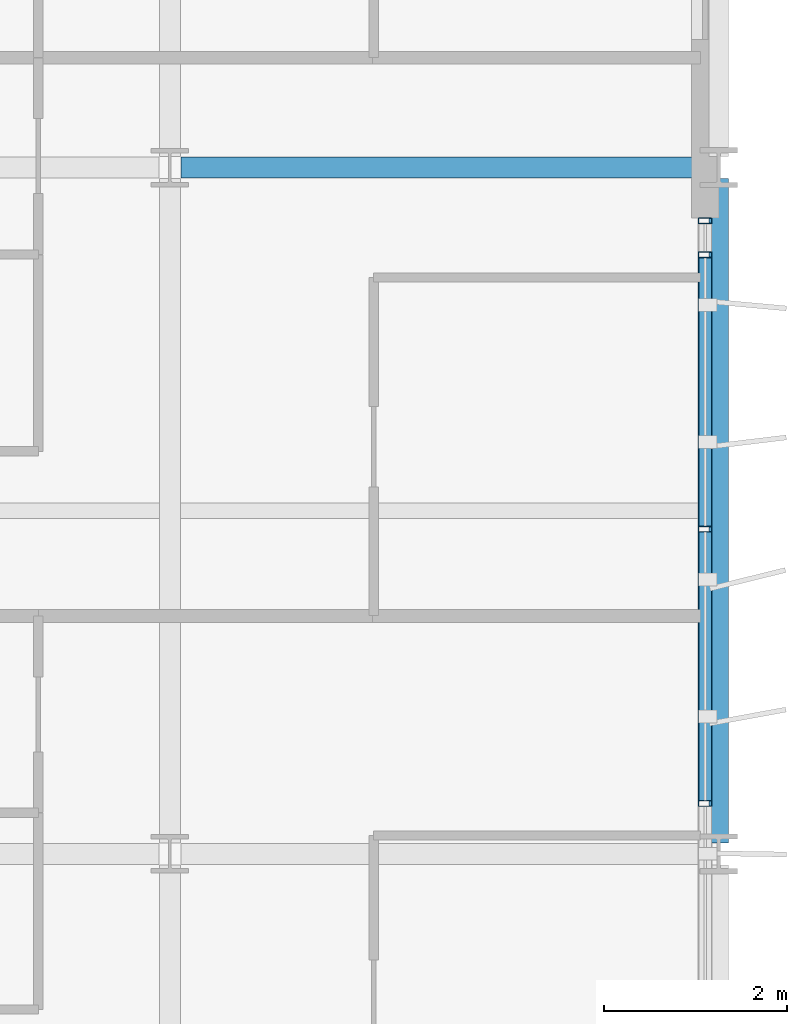
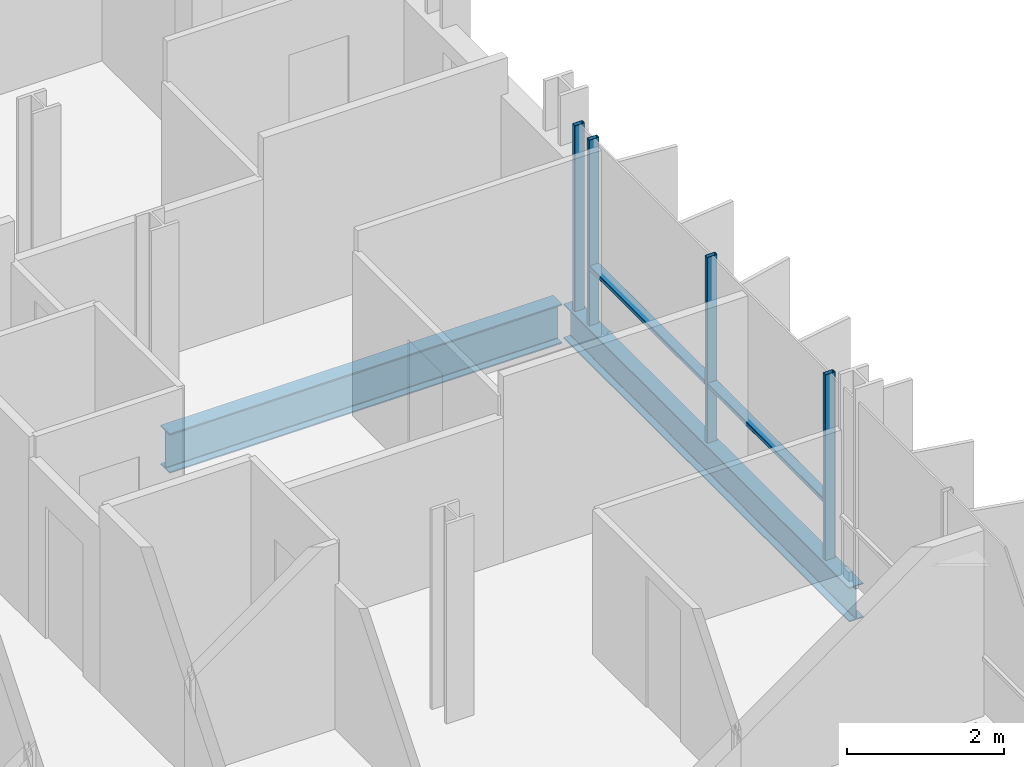
# One storey, part 19 of 38: 6 members, 2 beams, 1 element without a shape of its own.
"""IFC4 building model written with IfcOpenShell, lengths in metres."""

from ifc_helpers import new_model, si_unit, direction, frame, origin, origin_2d, place, context, subcontext, project, spatial, hollow_rectangle, i_section, extrude, material, layer, layer_set, material_profile, profile_set, type_object, element, aggregate, save


model = new_model("IFC4")

# Units and contexts
model_context = context("Model", 3, precision=1e-05, world=origin(), true_north=direction((0.0, 1.0)))
body_context = subcontext(model_context, "Body", "Model", "MODEL_VIEW")
ifc_project = project(units=[si_unit("LENGTHUNIT", "METRE"), si_unit("AREAUNIT", "SQUARE_METRE"), si_unit("VOLUMEUNIT", "CUBIC_METRE"), si_unit("PLANEANGLEUNIT", "RADIAN"), si_unit("MASSUNIT", "GRAM", prefix="KILO")], contexts=[model_context])

# Site, building, storey
site_placement = place(None, origin())
site = spatial("IfcSite", under=ifc_project, at=site_placement, CompositionType="ELEMENT")
building_placement = place(site_placement, origin())
building = spatial("IfcBuilding", under=site, at=building_placement, Name="Brevholm Reach", CompositionType="ELEMENT")
storey_placement = place(building_placement, frame((0.0, 0.0, 122.10009765625)))
storey = spatial("IfcBuildingStorey", under=building, at=storey_placement, Name="L36", CompositionType="ELEMENT", Elevation=122.10009765625)

# Beams
ifc_material_1 = material(Name="Structural Steel S355J2", Category="steel")
ifc_material_profile_1 = material_profile(ifc_material_1, i_section(OverallWidth=0.209228515625, OverallDepth=0.533203125, WebThickness=0.010009765625, FlangeThickness=0.015625, FilletRadius=0.0126953125, at=origin_2d()), Name="UKB 533x210x92")
ifc_profile_set_1 = profile_set([ifc_material_profile_1], Name="Structural Steel S355J2")
beam_type_1 = type_object("IfcBeamType", Name="BM-SP533", PredefinedType="SPANDREL", material=ifc_profile_set_1)
beam_1_placement = place(storey_placement, frame((60.0, 16.1201171875, -0.486572265625), z_axis=(0.0, 1.0, 0.0), x_axis=(-1.0, 0.0, 0.0)))
element("IfcBeam", 1, at=beam_1_placement, inside=storey, type_object=beam_type_1, Name="L36 SP-02 Framing Beam", PredefinedType="SPANDREL", context=body_context, shape_type="SweptSolid", body=[
    extrude(i_section(OverallWidth=0.209228515625, OverallDepth=0.533203125, WebThickness=0.010009765625, FlangeThickness=0.015625, FilletRadius=0.0126953125, at=origin_2d()), origin(), (0.0, 0.0, 1.0), 7.259765625),
])
ifc_material_2 = material(Name="Structural Steel S355J2", Category="steel")
ifc_material_profile_2 = material_profile(ifc_material_2, i_section(OverallWidth=0.22900390625, OverallDepth=0.6123046875, WebThickness=0.011962890625, FlangeThickness=0.01953125, FilletRadius=0.0126953125, at=origin_2d()), Name="UKB 610x229x125")
ifc_profile_set_2 = profile_set([ifc_material_profile_2], Name="Structural Steel S355J2")
beam_type_2 = type_object("IfcBeamType", Name="BM-SP610", PredefinedType="SPANDREL", material=ifc_profile_set_2)
beam_2_placement = place(storey_placement, frame((54.1201171875, 23.5, -0.526123046875), z_axis=(1.0, 0.0, 0.0), x_axis=(0.0, 1.0, 0.0)))
element("IfcBeam", 2, at=beam_2_placement, inside=storey, type_object=beam_type_2, Name="L36 SP-01 Framing Beam", PredefinedType="SPANDREL", context=body_context, shape_type="SweptSolid", body=[
    extrude(i_section(OverallWidth=0.22900390625, OverallDepth=0.6123046875, WebThickness=0.011962890625, FlangeThickness=0.01953125, FilletRadius=0.0126953125, at=origin_2d()), origin(), (0.0, 0.0, 1.0), 5.759765625),
])

# Curtain wall, members
ifc_material_3 = material(Name="Dark Anodised Aluminium 6063-T6 and Solar-Control Glass", Category="aluminium")
ifc_layer = layer(ifc_material_3, 0.14990234375)
ifc_layer_set = layer_set([ifc_layer], Name="Dark Anodised Aluminium 6063-T6 and Solar-Control Glass")
curtain_wall_type = type_object("IfcCurtainWallType", Name="CW-01", PredefinedType="NOTDEFINED", material=ifc_layer_set)
curtain_wall_placement = place(storey_placement, origin())
curtain_wall = element("IfcCurtainWall", 3, at=curtain_wall_placement, inside=storey, type_object=curtain_wall_type, Name="L36 Curtain Wall CW-01", PredefinedType="NOTDEFINED")
ifc_material_4 = material(Name="Dark Anodised Aluminium 6063-T6", Category="aluminium")
ifc_material_profile_3 = material_profile(ifc_material_4, hollow_rectangle(XDim=0.06494140625, YDim=0.14990234375, WallThickness=0.0048828125, InnerFilletRadius=0.0048828125, OuterFilletRadius=0.010009765625, at=origin_2d()), Name="RHS 150x65x5")
ifc_profile_set_3 = profile_set([ifc_material_profile_3], Name="Dark Anodised Aluminium 6063-T6")
member_type_1 = type_object("IfcMemberType", Name="CWM-150", PredefinedType="MULLION", material=ifc_profile_set_3)
member_1_placement = place(storey_placement, frame((59.85009765625, 16.550048828125, 0.0), z_axis=(0.0, 0.0, 1.0), x_axis=(0.0, 1.0, 0.0)))
member_1 = element("IfcMember", 4, at=member_1_placement, type_object=member_type_1, Name="CM-150 Mullion 3", PredefinedType="MULLION", context=body_context, shape_type="SweptSolid", body=[
    extrude(hollow_rectangle(XDim=0.06494140625, YDim=0.14990234375, WallThickness=0.0048828125, InnerFilletRadius=0.0048828125, OuterFilletRadius=0.010009765625, at=origin_2d()), origin(), (0.0, 0.0, 1.0), 2.8798828125),
])
member_2_placement = place(storey_placement, frame((59.85009765625, 19.550048828125, 0.0), z_axis=(0.0, 0.0, 1.0), x_axis=(0.0, 1.0, 0.0)))
member_2 = element("IfcMember", 5, at=member_2_placement, type_object=member_type_1, Name="CM-150 Mullion 4", PredefinedType="MULLION", context=body_context, shape_type="SweptSolid", body=[
    extrude(hollow_rectangle(XDim=0.06494140625, YDim=0.14990234375, WallThickness=0.0048828125, InnerFilletRadius=0.0048828125, OuterFilletRadius=0.010009765625, at=origin_2d()), origin(), (0.0, 0.0, 1.0), 2.8798828125),
])
member_3_placement = place(storey_placement, frame((59.85009765625, 22.550048828125, 0.0), z_axis=(0.0, 0.0, 1.0), x_axis=(0.0, 1.0, 0.0)))
member_3 = element("IfcMember", 6, at=member_3_placement, type_object=member_type_1, Name="CM-150 Mullion 5", PredefinedType="MULLION", context=body_context, shape_type="SweptSolid", body=[
    extrude(hollow_rectangle(XDim=0.06494140625, YDim=0.14990234375, WallThickness=0.0048828125, InnerFilletRadius=0.0048828125, OuterFilletRadius=0.010009765625, at=origin_2d()), origin(), (0.0, 0.0, 1.0), 2.8798828125),
])
member_4_placement = place(storey_placement, frame((59.85009765625, 22.91748046875, 0.0), z_axis=(0.0, 0.0, 1.0), x_axis=(0.0, 1.0, 0.0)))
member_4 = element("IfcMember", 7, at=member_4_placement, type_object=member_type_1, Name="CM-150 Mullion 6", PredefinedType="MULLION", context=body_context, shape_type="SweptSolid", body=[
    extrude(hollow_rectangle(XDim=0.06494140625, YDim=0.14990234375, WallThickness=0.0048828125, InnerFilletRadius=0.0048828125, OuterFilletRadius=0.010009765625, at=origin_2d()), origin(), (0.0, 0.0, 1.0), 2.8798828125),
])
ifc_material_5 = material(Name="Dark Anodised Aluminium 6063-T6", Category="aluminium")
ifc_material_profile_4 = material_profile(ifc_material_5, hollow_rectangle(XDim=0.06494140625, YDim=0.14990234375, WallThickness=0.0048828125, InnerFilletRadius=0.0048828125, OuterFilletRadius=0.010009765625, at=origin_2d()), Name="RHS 150x65x5")
ifc_profile_set_4 = profile_set([ifc_material_profile_4], Name="Dark Anodised Aluminium 6063-T6")
member_type_2 = type_object("IfcMemberType", Name="CWT-150", PredefinedType="NOTDEFINED", material=ifc_profile_set_4)
member_5_placement = place(storey_placement, frame((59.85009765625, 16.58251953125, 0.89990234375), z_axis=(0.0, 1.0, 0.0), x_axis=(0.0, 0.0, 1.0)))
member_5 = element("IfcMember", 8, at=member_5_placement, type_object=member_type_2, Name="CT-150 Transom 3.1", ObjectType="TRANSOM", PredefinedType="USERDEFINED", context=body_context, shape_type="SweptSolid", body=[
    extrude(hollow_rectangle(XDim=0.06494140625, YDim=0.14990234375, WallThickness=0.0048828125, InnerFilletRadius=0.0048828125, OuterFilletRadius=0.010009765625, at=origin_2d()), origin(), (0.0, 0.0, 1.0), 2.93505859375),
])
member_6_placement = place(storey_placement, frame((59.85009765625, 19.58251953125, 0.89990234375), z_axis=(0.0, 1.0, 0.0), x_axis=(0.0, 0.0, 1.0)))
member_6 = element("IfcMember", 9, at=member_6_placement, type_object=member_type_2, Name="CT-150 Transom 4.1", ObjectType="TRANSOM", PredefinedType="USERDEFINED", context=body_context, shape_type="SweptSolid", body=[
    extrude(hollow_rectangle(XDim=0.06494140625, YDim=0.14990234375, WallThickness=0.0048828125, InnerFilletRadius=0.0048828125, OuterFilletRadius=0.010009765625, at=origin_2d()), origin(), (0.0, 0.0, 1.0), 2.93505859375),
])
aggregate(curtain_wall, [member_1, member_2, member_3, member_4, member_5, member_6])

save(model, "model.ifc")
